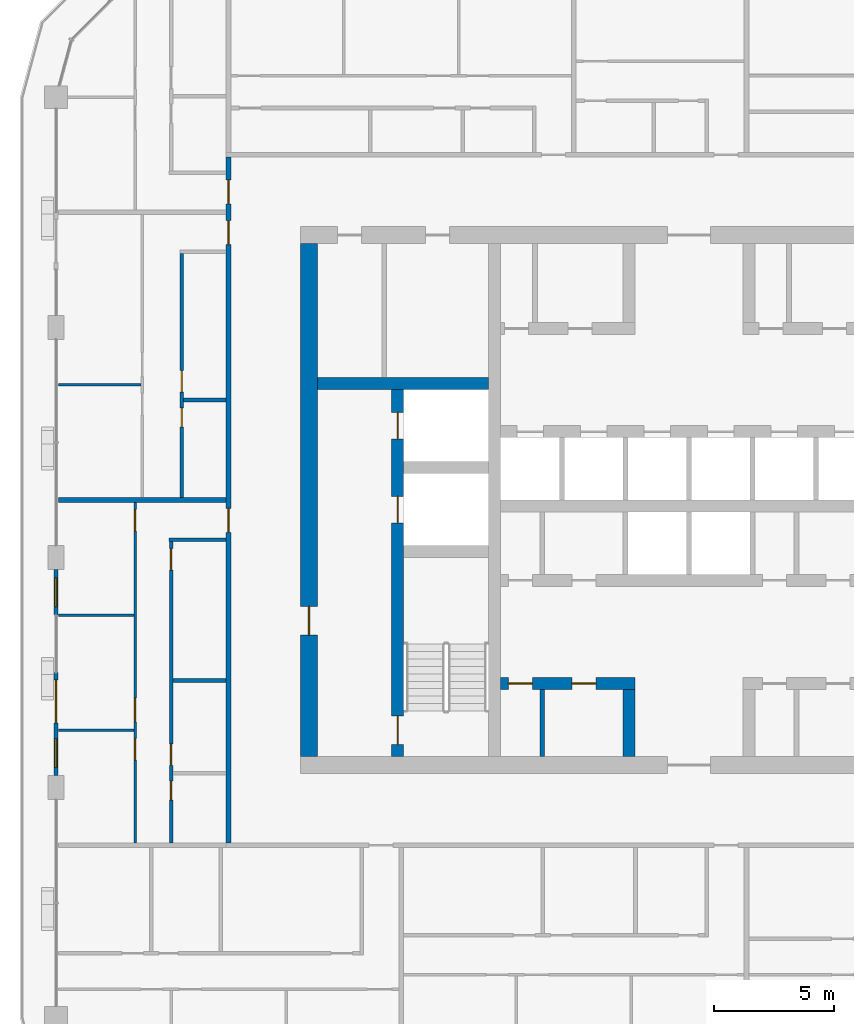
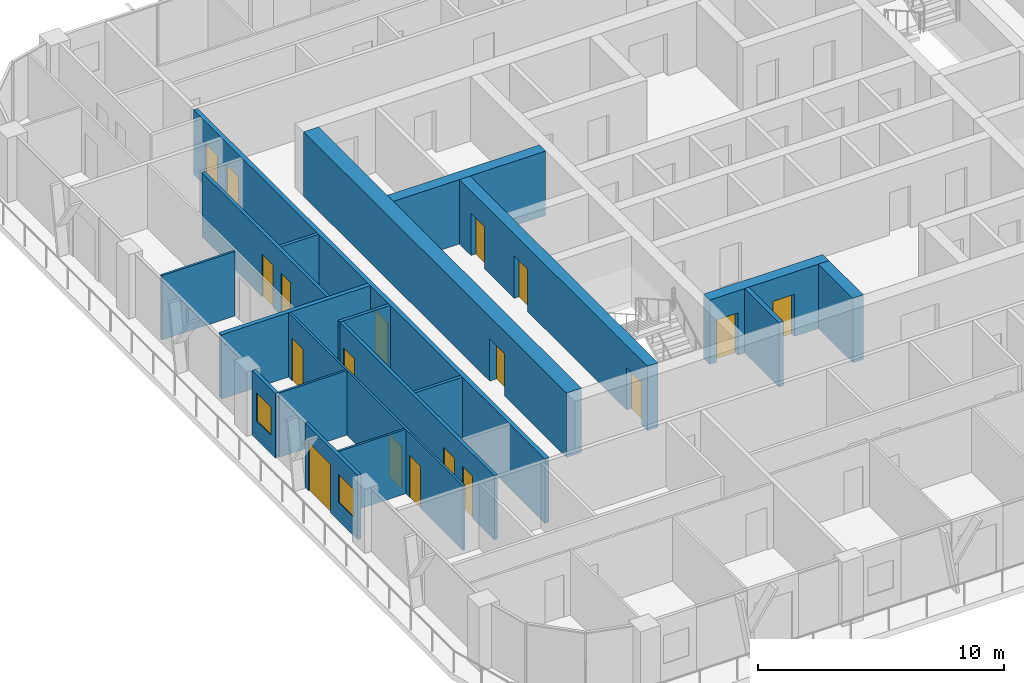
# One storey, part 10 of 22: 19 walls, 18 doors, 2 windows, 20 openings.
"""IFC4 building model written with IfcOpenShell, lengths in metres."""

from ifc_helpers import new_model, si_unit, direction, frame, frame_2d, origin, place, context, subcontext, project, spatial, rectangle, extrude, material, layer, layer_set, type_object, element, fill, save


model = new_model("IFC4")

# Units and contexts
model_context = context("Model", 3, precision=1e-05, world=origin(), true_north=direction((0.0, 1.0)))
body_context = subcontext(model_context, "Body", "Model", "MODEL_VIEW")
ifc_project = project(units=[si_unit("LENGTHUNIT", "METRE"), si_unit("AREAUNIT", "SQUARE_METRE"), si_unit("VOLUMEUNIT", "CUBIC_METRE"), si_unit("PLANEANGLEUNIT", "RADIAN"), si_unit("MASSUNIT", "GRAM", prefix="KILO")], contexts=[model_context])

# Site, building, storey
site_placement = place(None, origin())
site = spatial("IfcSite", under=ifc_project, at=site_placement, CompositionType="ELEMENT")
building_placement = place(site_placement, origin())
building = spatial("IfcBuilding", under=site, at=building_placement, Name="Madar Terraces", CompositionType="ELEMENT")
storey_placement = place(building_placement, frame((0.0, 0.0, 178.89990234375)))
storey = spatial("IfcBuildingStorey", under=building, at=storey_placement, Name="L46", CompositionType="ELEMENT", Elevation=178.89990234375)

# Wall, openings, doors
ifc_material_1 = material(Name="Concrete C60/75", Category="concrete")
ifc_layer_1 = layer(ifc_material_1, 0.5)
ifc_layer_set_1 = layer_set([ifc_layer_1], Name="Concrete C60/75 (CIW4 RC wall 500)")
wall_type_1 = type_object("IfcWallType", Name="CIW4 RC wall 500", PredefinedType="SHEAR", material=ifc_layer_set_1)
wall_1_placement = place(storey_placement, frame((19.050048828125, 15.699951171875, 0.0), z_axis=(0.0, 0.0, 1.0), x_axis=(0.0, 1.0, 0.0)))
wall_1 = element("IfcWall", 1, at=wall_1_placement, inside=storey, type_object=wall_type_1, Name="CORE SHAFT WALL", PredefinedType="SHEAR", context=body_context, shape_type="SweptSolid", body=[
    extrude(rectangle(XDim=15.300048828125, YDim=0.5, at=frame_2d((7.64990234375, 0.0))), origin(), (0.0, 0.0, 1.0), 3.2001953125),
])
opening_1_placement = place(wall_1_placement, frame((9.75, 0.0, 0.0)))
opening_1 = element("IfcOpeningElement", 2, at=opening_1_placement, cuts=wall_1, Name="Opening LD", PredefinedType="OPENING", context=body_context, shape_type="SweptSolid", body=[
    extrude(rectangle(XDim=1.10009765625, YDim=2.10009765625, at=frame_2d((0.550048828125, 1.050048828125))), frame((0.0, 0.260009765625, 0.0), z_axis=(0.0, -1.0, 0.0), x_axis=(1.0, 0.0, 0.0)), (0.0, 0.0, 1.0), 0.52001953125),
])
opening_2_placement = place(wall_1_placement, frame((13.25, 0.0, 0.0)))
opening_2 = element("IfcOpeningElement", 3, at=opening_2_placement, cuts=wall_1, Name="Opening LD", PredefinedType="OPENING", context=body_context, shape_type="SweptSolid", body=[
    extrude(rectangle(XDim=1.10009765625, YDim=2.10009765625, at=frame_2d((0.550048828125, 1.050048828125))), frame((0.0, 0.260009765625, 0.0), z_axis=(0.0, -1.0, 0.0), x_axis=(1.0, 0.0, 0.0)), (0.0, 0.0, 1.0), 0.52001953125),
])
opening_3_placement = place(wall_1_placement, frame((0.5, 0.0, 0.0)))
opening_3 = element("IfcOpeningElement", 4, at=opening_3_placement, cuts=wall_1, Name="Opening SD1", PredefinedType="OPENING", context=body_context, shape_type="SweptSolid", body=[
    extrude(rectangle(XDim=1.199951171875, YDim=2.10009765625, at=frame_2d((0.60009765625, 1.050048828125))), frame((0.0, 0.260009765625, 0.0), z_axis=(0.0, -1.0, 0.0), x_axis=(1.0, 0.0, 0.0)), (0.0, 0.0, 1.0), 0.52001953125),
])
ifc_material_2 = material(Name="Stainless steel panel", Category="steel")
door_type_1 = type_object("IfcDoorType", Name="Lift landing door 1100 x 2100", OperationType="DOUBLE_DOOR_SLIDING", PredefinedType="DOOR", material=ifc_material_2)
door_1_placement = place(opening_1_placement, origin())
door_1 = element("IfcDoor", 5, at=door_1_placement, inside=storey, type_object=door_type_1, Name="LIFT LANDING DOOR", OperationType="DOUBLE_DOOR_SLIDING", OverallHeight=2.10009765625, OverallWidth=1.10009765625, PredefinedType="DOOR", context=body_context, shape_type="SweptSolid", body=[
    extrude(rectangle(XDim=1.10009765625, YDim=2.10009765625, at=frame_2d((0.550048828125, 1.050048828125))), frame((0.0, 0.02490234375, 0.0), z_axis=(0.0, -1.0, 0.0), x_axis=(1.0, 0.0, 0.0)), (0.0, 0.0, 1.0), 0.050048828125),
])
fill(opening_1, door_1)
door_2_placement = place(opening_2_placement, origin())
door_2 = element("IfcDoor", 6, at=door_2_placement, inside=storey, type_object=door_type_1, Name="LIFT LANDING DOOR", OperationType="DOUBLE_DOOR_SLIDING", OverallHeight=2.10009765625, OverallWidth=1.10009765625, PredefinedType="DOOR", context=body_context, shape_type="SweptSolid", body=[
    extrude(rectangle(XDim=1.10009765625, YDim=2.10009765625, at=frame_2d((0.550048828125, 1.050048828125))), frame((0.0, 0.02490234375, 0.0), z_axis=(0.0, -1.0, 0.0), x_axis=(1.0, 0.0, 0.0)), (0.0, 0.0, 1.0), 0.050048828125),
])
fill(opening_2, door_2)
ifc_material_3 = material(Name="Steel door leaf", Category="steel")
door_type_2 = type_object("IfcDoorType", Name="Stair door 1200 x 2100", OperationType="NOTDEFINED", PredefinedType="DOOR", material=ifc_material_3)
door_3_placement = place(opening_3_placement, frame((1.199951171875, 0.0, 0.0), z_axis=(0.0, 0.0, 1.0), x_axis=(-1.0, 0.0, 0.0)))
door_3 = element("IfcDoor", 7, at=door_3_placement, inside=storey, type_object=door_type_2, Name="STAIR DOOR", OperationType="SINGLE_SWING_RIGHT", OverallHeight=2.10009765625, OverallWidth=1.199951171875, PredefinedType="DOOR", context=body_context, shape_type="SweptSolid", body=[
    extrude(rectangle(XDim=1.199951171875, YDim=2.10009765625, at=frame_2d((0.60009765625, 1.050048828125))), frame((0.0, 0.02490234375, 0.0), z_axis=(0.0, -1.0, 0.0), x_axis=(1.0, 0.0, 0.0)), (0.0, 0.0, 1.0), 0.050048828125),
])
fill(opening_3, door_3)

# Wall
wall_2_placement = place(storey_placement, frame((15.699951171875, 31.25, 0.0), z_axis=(0.0, 0.0, 1.0), x_axis=(1.0, 0.0, 0.0)))
element("IfcWall", 8, at=wall_2_placement, inside=storey, type_object=wall_type_1, Name="CORE SHAFT WALL", PredefinedType="SHEAR", context=body_context, shape_type="SweptSolid", body=[
    extrude(rectangle(XDim=7.150146484375, YDim=0.5, at=frame_2d((3.5751953125, 0.0))), origin(), (0.0, 0.0, 1.0), 3.2001953125),
])

# Wall, openings, doors
wall_3_placement = place(storey_placement, frame((23.35009765625, 18.75, 0.0), z_axis=(0.0, 0.0, 1.0), x_axis=(1.0, 0.0, 0.0)))
wall_3 = element("IfcWall", 9, at=wall_3_placement, inside=storey, type_object=wall_type_1, Name="CORE SHAFT WALL", PredefinedType="SHEAR", context=body_context, shape_type="SweptSolid", body=[
    extrude(rectangle(XDim=5.599853515625, YDim=0.5, at=frame_2d((2.7998046875, 0.0))), origin(), (0.0, 0.0, 1.0), 3.2001953125),
])
opening_4_placement = place(wall_3_placement, frame((0.31689453125, 0.0, 0.0)))
opening_4 = element("IfcOpeningElement", 10, at=opening_4_placement, cuts=wall_3, Name="Opening KD2", PredefinedType="OPENING", context=body_context, shape_type="SweptSolid", body=[
    extrude(rectangle(XDim=1.0, YDim=2.10009765625, at=frame_2d((0.5, 1.050048828125))), frame((0.0, 0.260009765625, 0.0), z_axis=(0.0, -1.0, 0.0), x_axis=(1.0, 0.0, 0.0)), (0.0, 0.0, 1.0), 0.52001953125),
])
opening_5_placement = place(wall_3_placement, frame((2.967041015625, 0.0, 0.0)))
opening_5 = element("IfcOpeningElement", 11, at=opening_5_placement, cuts=wall_3, Name="Opening KD2", PredefinedType="OPENING", context=body_context, shape_type="SweptSolid", body=[
    extrude(rectangle(XDim=1.0, YDim=2.10009765625, at=frame_2d((0.5, 1.050048828125))), frame((0.0, 0.260009765625, 0.0), z_axis=(0.0, -1.0, 0.0), x_axis=(1.0, 0.0, 0.0)), (0.0, 0.0, 1.0), 0.52001953125),
])
ifc_material_4 = material(Name="Steel door leaf", Category="steel")
door_type_3 = type_object("IfcDoorType", Name="Service room door 1000 x 2100", OperationType="NOTDEFINED", PredefinedType="DOOR", material=ifc_material_4)
door_4_placement = place(opening_4_placement, origin())
door_4 = element("IfcDoor", 12, at=door_4_placement, inside=storey, type_object=door_type_3, Name="SERVICE ROOM DOOR", OperationType="SINGLE_SWING_LEFT", OverallHeight=2.10009765625, OverallWidth=1.0, PredefinedType="DOOR", context=body_context, shape_type="SweptSolid", body=[
    extrude(rectangle(XDim=1.0, YDim=2.10009765625, at=frame_2d((0.5, 1.050048828125))), frame((0.0, 0.02490234375, 0.0), z_axis=(0.0, -1.0, 0.0), x_axis=(1.0, 0.0, 0.0)), (0.0, 0.0, 1.0), 0.050048828125),
])
fill(opening_4, door_4)
door_5_placement = place(opening_5_placement, origin())
door_5 = element("IfcDoor", 13, at=door_5_placement, inside=storey, type_object=door_type_3, Name="SERVICE ROOM DOOR", OperationType="SINGLE_SWING_RIGHT", OverallHeight=2.10009765625, OverallWidth=1.0, PredefinedType="DOOR", context=body_context, shape_type="SweptSolid", body=[
    extrude(rectangle(XDim=1.0, YDim=2.10009765625, at=frame_2d((0.5, 1.050048828125))), frame((0.0, 0.02490234375, 0.0), z_axis=(0.0, -1.0, 0.0), x_axis=(1.0, 0.0, 0.0)), (0.0, 0.0, 1.0), 0.050048828125),
])
fill(opening_5, door_5)

# Wall
wall_4_placement = place(storey_placement, frame((28.699951171875, 15.699951171875, 0.0), z_axis=(0.0, 0.0, 1.0), x_axis=(0.0, 1.0, 0.0)))
element("IfcWall", 14, at=wall_4_placement, inside=storey, type_object=wall_type_1, Name="CORE SHAFT WALL", PredefinedType="SHEAR", context=body_context, shape_type="SweptSolid", body=[
    extrude(rectangle(XDim=2.800048828125, YDim=0.5, at=frame_2d((1.39990234375, 0.0))), origin(), (0.0, 0.0, 1.0), 3.2001953125),
])

# Wall, opening, door
ifc_material_5 = material(Name="Concrete C60/75", Category="concrete")
ifc_layer_2 = layer(ifc_material_5, 0.699951171875)
ifc_layer_set_2 = layer_set([ifc_layer_2], Name="Concrete C60/75 (CRW4 RC wall 700)")
wall_type_2 = type_object("IfcWallType", Name="CRW4 RC wall 700", PredefinedType="SHEAR", material=ifc_layer_set_2)
wall_5_placement = place(storey_placement, frame((15.35009765625, 15.699951171875, 0.0), z_axis=(0.0, 0.0, 1.0), x_axis=(0.0, 1.0, 0.0)))
wall_5 = element("IfcWall", 15, at=wall_5_placement, inside=storey, type_object=wall_type_2, Name="CORE OUTER WALL", PredefinedType="SHEAR", context=body_context, shape_type="SweptSolid", body=[
    extrude(rectangle(XDim=21.400146484375, YDim=0.699951171875, at=frame_2d((10.7001953125, 0.0))), origin(), (0.0, 0.0, 1.0), 3.2001953125),
])
opening_6_placement = place(wall_5_placement, frame((5.06005859375, 0.0, 0.0)))
opening_6 = element("IfcOpeningElement", 16, at=opening_6_placement, cuts=wall_5, Name="Opening SD1", PredefinedType="OPENING", context=body_context, shape_type="SweptSolid", body=[
    extrude(rectangle(XDim=1.199951171875, YDim=2.10009765625, at=frame_2d((0.60009765625, 1.050048828125))), frame((0.0, 0.35986328125, 0.0), z_axis=(0.0, -1.0, 0.0), x_axis=(1.0, 0.0, 0.0)), (0.0, 0.0, 1.0), 0.719970703125),
])
door_6_placement = place(opening_6_placement, frame((1.199951171875, 0.0, 0.0), z_axis=(0.0, 0.0, 1.0), x_axis=(-1.0, 0.0, 0.0)))
door_6 = element("IfcDoor", 17, at=door_6_placement, inside=storey, type_object=door_type_2, Name="STAIR DOOR", OperationType="SINGLE_SWING_LEFT", OverallHeight=2.10009765625, OverallWidth=1.199951171875, PredefinedType="DOOR", context=body_context, shape_type="SweptSolid", body=[
    extrude(rectangle(XDim=1.199951171875, YDim=2.10009765625, at=frame_2d((0.60009765625, 1.050048828125))), frame((0.0, 0.02490234375, 0.0), z_axis=(0.0, -1.0, 0.0), x_axis=(1.0, 0.0, 0.0)), (0.0, 0.0, 1.0), 0.050048828125),
])
fill(opening_6, door_6)

# Wall
ifc_material_6 = material(Name="Masonry blockwork", Category="masonry")
ifc_layer_3 = layer(ifc_material_6, 0.199951171875)
ifc_layer_set_3 = layer_set([ifc_layer_3], Name="Core partition 200 blockwork")
wall_type_3 = type_object("IfcWallType", Name="Core partition 200 blockwork", PredefinedType="PARTITIONING", material=ifc_layer_set_3)
wall_6_placement = place(storey_placement, frame((25.083984375, 15.699951171875, 0.0), z_axis=(0.0, 0.0, 1.0), x_axis=(0.0, 1.0, 0.0)))
element("IfcWall", 18, at=wall_6_placement, inside=storey, type_object=wall_type_3, Name="SERVICE ROOM PARTITION", PredefinedType="PARTITIONING", context=body_context, shape_type="SweptSolid", body=[
    extrude(rectangle(XDim=2.800048828125, YDim=0.199951171875, at=frame_2d((1.39990234375, 0.0))), origin(), (0.0, 0.0, 1.0), 3.2001953125),
])

# Wall, opening, window
ifc_material_7 = material(Name="Aluminium composite panel, black, over insulated backing", Category="aluminium")
ifc_layer_4 = layer(ifc_material_7, 0.14990234375)
ifc_layer_set_4 = layer_set([ifc_layer_4], Name="Facade bay panel 150")
wall_type_4 = type_object("IfcWallType", Name="Facade bay panel 150", PredefinedType="SOLIDWALL", material=ifc_layer_set_4)
wall_7_placement = place(storey_placement, frame((4.800048828125, 23.5, 0.0), z_axis=(0.0, 0.0, 1.0), x_axis=(0.0, -1.0, 0.0)))
wall_7 = element("IfcWall", 19, at=wall_7_placement, inside=storey, type_object=wall_type_4, Name="Facade bay panel", PredefinedType="SOLIDWALL", context=body_context, shape_type="SweptSolid", body=[
    extrude(rectangle(XDim=1.89990234375, YDim=0.14990234375, at=frame_2d((0.949951171875, 0.0))), origin(), (0.0, 0.0, 1.0), 3.2001953125),
])
opening_7_placement = place(wall_7_placement, frame((0.35009765625, 0.0, 0.89990234375)))
opening_7 = element("IfcOpeningElement", 20, at=opening_7_placement, cuts=wall_7, Name="Opening W1", PredefinedType="OPENING", context=body_context, shape_type="SweptSolid", body=[
    extrude(rectangle(XDim=1.199951171875, YDim=1.39990234375, at=frame_2d((0.60009765625, 0.699951171875))), frame((0.0, 0.0849609375, 0.0), z_axis=(0.0, -1.0, 0.0), x_axis=(1.0, 0.0, 0.0)), (0.0, 0.0, 1.0), 0.169921875),
])
ifc_material_8 = material(Name="Glass, clear, with black aluminium frame", Category="aluminium")
window_type = type_object("IfcWindowType", Name="Vent window 1200 x 1400", PartitioningType="SINGLE_PANEL", PredefinedType="WINDOW", material=ifc_material_8)
window_1_placement = place(opening_7_placement, origin())
window_1 = element("IfcWindow", 21, at=window_1_placement, inside=storey, type_object=window_type, Name="Operable vent window", OverallHeight=1.39990234375, OverallWidth=1.199951171875, PartitioningType="SINGLE_PANEL", PredefinedType="WINDOW", context=body_context, shape_type="SweptSolid", body=[
    extrude(rectangle(XDim=1.199951171875, YDim=1.39990234375, at=frame_2d((0.60009765625, 0.699951171875))), frame((0.0, 0.030029296875, 0.0), z_axis=(0.0, -1.0, 0.0), x_axis=(1.0, 0.0, 0.0)), (0.0, 0.0, 1.0), 0.06005859375),
])
fill(opening_7, window_1)

# Wall, openings, door, window
wall_8_placement = place(storey_placement, frame((4.800048828125, 19.199951171875, 0.0), z_axis=(0.0, 0.0, 1.0), x_axis=(0.0, -1.0, 0.0)))
wall_8 = element("IfcWall", 22, at=wall_8_placement, inside=storey, type_object=wall_type_4, Name="Facade bay panel", PredefinedType="SOLIDWALL", context=body_context, shape_type="SweptSolid", body=[
    extrude(rectangle(XDim=4.300048828125, YDim=0.14990234375, at=frame_2d((2.14990234375, 0.0))), origin(), (0.0, 0.0, 1.0), 3.2001953125),
])
opening_8_placement = place(wall_8_placement, frame((0.300048828125, 0.0, 0.0)))
opening_8 = element("IfcOpeningElement", 23, at=opening_8_placement, cuts=wall_8, Name="Opening ED1", PredefinedType="OPENING", context=body_context, shape_type="SweptSolid", body=[
    extrude(rectangle(XDim=1.800048828125, YDim=2.39990234375, at=frame_2d((0.89990234375, 1.199951171875))), frame((0.0, 0.0849609375, 0.0), z_axis=(0.0, -1.0, 0.0), x_axis=(1.0, 0.0, 0.0)), (0.0, 0.0, 1.0), 0.169921875),
])
opening_9_placement = place(wall_8_placement, frame((2.75, 0.0, 0.89990234375)))
opening_9 = element("IfcOpeningElement", 24, at=opening_9_placement, cuts=wall_8, Name="Opening W1", PredefinedType="OPENING", context=body_context, shape_type="SweptSolid", body=[
    extrude(rectangle(XDim=1.199951171875, YDim=1.39990234375, at=frame_2d((0.60009765625, 0.699951171875))), frame((0.0, 0.0849609375, 0.0), z_axis=(0.0, -1.0, 0.0), x_axis=(1.0, 0.0, 0.0)), (0.0, 0.0, 1.0), 0.169921875),
])
ifc_material_9 = material(Name="Glass, clear, with black aluminium frame", Category="aluminium")
door_type_4 = type_object("IfcDoorType", Name="Balcony and terrace sliding door 1800 x 2400", OperationType="SLIDING_TO_LEFT", PredefinedType="DOOR", material=ifc_material_9)
door_7_placement = place(opening_8_placement, origin())
door_7 = element("IfcDoor", 25, at=door_7_placement, inside=storey, type_object=door_type_4, Name="Balcony door", OperationType="SLIDING_TO_LEFT", OverallHeight=2.39990234375, OverallWidth=1.800048828125, PredefinedType="DOOR", context=body_context, shape_type="SweptSolid", body=[
    extrude(rectangle(XDim=1.800048828125, YDim=2.39990234375, at=frame_2d((0.89990234375, 1.199951171875))), frame((0.0, 0.02490234375, 0.0), z_axis=(0.0, -1.0, 0.0), x_axis=(1.0, 0.0, 0.0)), (0.0, 0.0, 1.0), 0.050048828125),
])
fill(opening_8, door_7)
window_2_placement = place(opening_9_placement, origin())
window_2 = element("IfcWindow", 26, at=window_2_placement, inside=storey, type_object=window_type, Name="Operable vent window", OverallHeight=1.39990234375, OverallWidth=1.199951171875, PartitioningType="SINGLE_PANEL", PredefinedType="WINDOW", context=body_context, shape_type="SweptSolid", body=[
    extrude(rectangle(XDim=1.199951171875, YDim=1.39990234375, at=frame_2d((0.60009765625, 0.699951171875))), frame((0.0, 0.030029296875, 0.0), z_axis=(0.0, -1.0, 0.0), x_axis=(1.0, 0.0, 0.0)), (0.0, 0.0, 1.0), 0.06005859375),
])
fill(opening_9, window_2)

# Walls
ifc_material_10 = material(Name="Gypsum board on steel studs", Category="steel")
ifc_layer_5 = layer(ifc_material_10, 0.10009765625)
ifc_layer_set_5 = layer_set([ifc_layer_5], Name="Flat partition 100")
wall_type_5 = type_object("IfcWallType", Name="Flat partition 100", PredefinedType="PARTITIONING", material=ifc_layer_set_5)
wall_9_placement = place(storey_placement, frame((8.35009765625, 31.199951171875, 0.0), z_axis=(0.0, 0.0, 1.0), x_axis=(-1.0, 0.0, 0.0)))
element("IfcWall", 27, at=wall_9_placement, inside=storey, type_object=wall_type_5, Name="Flat partition 100", PredefinedType="PARTITIONING", context=body_context, shape_type="SweptSolid", body=[
    extrude(rectangle(XDim=3.4501953125, YDim=0.10009765625, at=frame_2d((1.72509765625, 0.0))), origin(), (0.0, 0.0, 1.0), 3.2001953125),
])
for number, where, z_axis, x_axis, name in (
    (28, (8.050048828125, 21.60009765625, 0.0), (0.0, 0.0, 1.0), (-1.0, 0.0, 0.0), "Flat partition 100"),
    (29, (8.050048828125, 16.800048828125, 0.0), (0.0, 0.0, 1.0), (-1.0, 0.0, 0.0), "Flat partition 100"),
):
    element("IfcWall", number, at=place(storey_placement, frame(where, z_axis=z_axis, x_axis=x_axis)), inside=storey, type_object=wall_type_5, Name=name, PredefinedType="PARTITIONING", context=body_context, shape_type="SweptSolid", body=[
        extrude(rectangle(XDim=3.150146484375, YDim=0.10009765625, at=frame_2d((1.5751953125, 0.0))), origin(), (0.0, 0.0, 1.0), 3.2001953125),
    ])

# Wall, openings, doors
wall_10_placement = place(storey_placement, frame((8.10009765625, 12.10009765625, 0.0), z_axis=(0.0, 0.0, 1.0), x_axis=(0.0, 1.0, 0.0)))
wall_10 = element("IfcWall", 30, at=wall_10_placement, inside=storey, type_object=wall_type_5, Name="Flat partition 100", PredefinedType="PARTITIONING", context=body_context, shape_type="SweptSolid", body=[
    extrude(rectangle(XDim=14.199951171875, YDim=0.10009765625, at=frame_2d((7.10009765625, 0.0))), origin(), (0.0, 0.0, 1.0), 3.2001953125),
])
opening_10_placement = place(wall_10_placement, frame((13.0, 0.0, 0.0)))
opening_10 = element("IfcOpeningElement", 31, at=opening_10_placement, cuts=wall_10, Name="Opening D2", PredefinedType="OPENING", context=body_context, shape_type="SweptSolid", body=[
    extrude(rectangle(XDim=0.89990234375, YDim=2.10009765625, at=frame_2d((0.449951171875, 1.050048828125))), frame((0.0, 0.06005859375, 0.0), z_axis=(0.0, -1.0, 0.0), x_axis=(1.0, 0.0, 0.0)), (0.0, 0.0, 1.0), 0.1201171875),
])
opening_11_placement = place(wall_10_placement, frame((5.050048828125, 0.0, 0.0)))
opening_11 = element("IfcOpeningElement", 32, at=opening_11_placement, cuts=wall_10, Name="Opening D3", PredefinedType="OPENING", context=body_context, shape_type="SweptSolid", body=[
    extrude(rectangle(XDim=1.0, YDim=2.10009765625, at=frame_2d((0.5, 1.050048828125))), frame((0.0, 0.06005859375, 0.0), z_axis=(0.0, -1.0, 0.0), x_axis=(1.0, 0.0, 0.0)), (0.0, 0.0, 1.0), 0.1201171875),
])
opening_12_placement = place(wall_10_placement, frame((3.449951171875, 0.0, 0.0)))
opening_12 = element("IfcOpeningElement", 33, at=opening_12_placement, cuts=wall_10, Name="Opening D2", PredefinedType="OPENING", context=body_context, shape_type="SweptSolid", body=[
    extrude(rectangle(XDim=0.89990234375, YDim=2.10009765625, at=frame_2d((0.449951171875, 1.050048828125))), frame((0.0, 0.06005859375, 0.0), z_axis=(0.0, -1.0, 0.0), x_axis=(1.0, 0.0, 0.0)), (0.0, 0.0, 1.0), 0.1201171875),
])
ifc_material_11 = material(Name="Timber door leaf", Category="wood")
door_type_5 = type_object("IfcDoorType", Name="Flat living room door 1000", OperationType="NOTDEFINED", PredefinedType="DOOR", material=ifc_material_11)
door_8_placement = place(opening_11_placement, origin())
door_8 = element("IfcDoor", 34, at=door_8_placement, inside=storey, type_object=door_type_5, Name="Flat living room door 1000", OperationType="SINGLE_SWING_LEFT", OverallHeight=2.10009765625, OverallWidth=1.0, PredefinedType="DOOR", context=body_context, shape_type="SweptSolid", body=[
    extrude(rectangle(XDim=1.0, YDim=2.10009765625, at=frame_2d((0.5, 1.050048828125))), frame((0.0, 0.02490234375, 0.0), z_axis=(0.0, -1.0, 0.0), x_axis=(1.0, 0.0, 0.0)), (0.0, 0.0, 1.0), 0.050048828125),
])
fill(opening_11, door_8)
ifc_material_12 = material(Name="Timber door leaf", Category="wood")
door_type_6 = type_object("IfcDoorType", Name="Flat room door 900", OperationType="NOTDEFINED", PredefinedType="DOOR", material=ifc_material_12)
door_9_placement = place(opening_10_placement, origin())
door_9 = element("IfcDoor", 35, at=door_9_placement, inside=storey, type_object=door_type_6, Name="Flat room door 900", OperationType="SINGLE_SWING_RIGHT", OverallHeight=2.10009765625, OverallWidth=0.89990234375, PredefinedType="DOOR", context=body_context, shape_type="SweptSolid", body=[
    extrude(rectangle(XDim=0.89990234375, YDim=2.10009765625, at=frame_2d((0.449951171875, 1.050048828125))), frame((0.0, 0.02490234375, 0.0), z_axis=(0.0, -1.0, 0.0), x_axis=(1.0, 0.0, 0.0)), (0.0, 0.0, 1.0), 0.050048828125),
])
fill(opening_10, door_9)
door_10_placement = place(opening_12_placement, origin())
door_10 = element("IfcDoor", 36, at=door_10_placement, inside=storey, type_object=door_type_6, Name="Flat room door 900", OperationType="SINGLE_SWING_RIGHT", OverallHeight=2.10009765625, OverallWidth=0.89990234375, PredefinedType="DOOR", context=body_context, shape_type="SweptSolid", body=[
    extrude(rectangle(XDim=0.89990234375, YDim=2.10009765625, at=frame_2d((0.449951171875, 1.050048828125))), frame((0.0, 0.02490234375, 0.0), z_axis=(0.0, -1.0, 0.0), x_axis=(1.0, 0.0, 0.0)), (0.0, 0.0, 1.0), 0.050048828125),
])
fill(opening_12, door_10)

ifc_material_13 = material(Name="Lightweight blockwork", Category="masonry")
ifc_layer_6 = layer(ifc_material_13, 0.199951171875)
ifc_layer_set_6 = layer_set([ifc_layer_6], Name="Flat party and entrance wall 200")
wall_type_6 = type_object("IfcWallType", Name="Flat party and entrance wall 200", PredefinedType="PARTITIONING", material=ifc_layer_set_6)
wall_11_placement = place(storey_placement, frame((12.0, 12.10009765625, 0.0), z_axis=(0.0, 0.0, 1.0), x_axis=(0.0, 1.0, 0.0)))
wall_11 = element("IfcWall", 37, at=wall_11_placement, inside=storey, type_object=wall_type_6, Name="Flat party and entrance wall 200", PredefinedType="PARTITIONING", context=body_context, shape_type="SweptSolid", body=[
    extrude(rectangle(XDim=28.599853515625, YDim=0.199951171875, at=frame_2d((14.2998046875, 0.0))), origin(), (0.0, 0.0, 1.0), 3.2001953125),
])
opening_13_placement = place(wall_11_placement, frame((26.64990234375, 0.0, 0.0)))
opening_13 = element("IfcOpeningElement", 38, at=opening_13_placement, cuts=wall_11, Name="Opening D1", PredefinedType="OPENING", context=body_context, shape_type="SweptSolid", body=[
    extrude(rectangle(XDim=1.0, YDim=2.10009765625, at=frame_2d((0.5, 1.050048828125))), frame((0.0, 0.10986328125, 0.0), z_axis=(0.0, -1.0, 0.0), x_axis=(1.0, 0.0, 0.0)), (0.0, 0.0, 1.0), 0.219970703125),
])
opening_14_placement = place(wall_11_placement, frame((24.949951171875, 0.0, 0.0)))
opening_14 = element("IfcOpeningElement", 39, at=opening_14_placement, cuts=wall_11, Name="Opening D1", PredefinedType="OPENING", context=body_context, shape_type="SweptSolid", body=[
    extrude(rectangle(XDim=1.0, YDim=2.10009765625, at=frame_2d((0.5, 1.050048828125))), frame((0.0, 0.10986328125, 0.0), z_axis=(0.0, -1.0, 0.0), x_axis=(1.0, 0.0, 0.0)), (0.0, 0.0, 1.0), 0.219970703125),
])
opening_15_placement = place(wall_11_placement, frame((12.949951171875, 0.0, 0.0)))
opening_15 = element("IfcOpeningElement", 40, at=opening_15_placement, cuts=wall_11, Name="Opening D1", PredefinedType="OPENING", context=body_context, shape_type="SweptSolid", body=[
    extrude(rectangle(XDim=1.0, YDim=2.10009765625, at=frame_2d((0.5, 1.050048828125))), frame((0.0, 0.10986328125, 0.0), z_axis=(0.0, -1.0, 0.0), x_axis=(1.0, 0.0, 0.0)), (0.0, 0.0, 1.0), 0.219970703125),
])
ifc_material_14 = material(Name="Timber fire door leaf", Category="wood")
door_type_7 = type_object("IfcDoorType", Name="Flat entrance door 1000 FD30S", OperationType="NOTDEFINED", PredefinedType="DOOR", material=ifc_material_14)
door_11_placement = place(opening_13_placement, origin())
door_11 = element("IfcDoor", 41, at=door_11_placement, inside=storey, type_object=door_type_7, Name="Flat entrance door 1000 FD30S", OperationType="SINGLE_SWING_LEFT", OverallHeight=2.10009765625, OverallWidth=1.0, PredefinedType="DOOR", context=body_context, shape_type="SweptSolid", body=[
    extrude(rectangle(XDim=1.0, YDim=2.10009765625, at=frame_2d((0.5, 1.050048828125))), frame((0.0, 0.02490234375, 0.0), z_axis=(0.0, -1.0, 0.0), x_axis=(1.0, 0.0, 0.0)), (0.0, 0.0, 1.0), 0.050048828125),
])
fill(opening_13, door_11)
door_12_placement = place(opening_14_placement, origin())
door_12 = element("IfcDoor", 42, at=door_12_placement, inside=storey, type_object=door_type_7, Name="Flat entrance door 1000 FD30S", OperationType="SINGLE_SWING_RIGHT", OverallHeight=2.10009765625, OverallWidth=1.0, PredefinedType="DOOR", context=body_context, shape_type="SweptSolid", body=[
    extrude(rectangle(XDim=1.0, YDim=2.10009765625, at=frame_2d((0.5, 1.050048828125))), frame((0.0, 0.02490234375, 0.0), z_axis=(0.0, -1.0, 0.0), x_axis=(1.0, 0.0, 0.0)), (0.0, 0.0, 1.0), 0.050048828125),
])
fill(opening_14, door_12)
door_13_placement = place(opening_15_placement, origin())
door_13 = element("IfcDoor", 43, at=door_13_placement, inside=storey, type_object=door_type_7, Name="Flat entrance door 1000 FD30S", OperationType="SINGLE_SWING_RIGHT", OverallHeight=2.10009765625, OverallWidth=1.0, PredefinedType="DOOR", context=body_context, shape_type="SweptSolid", body=[
    extrude(rectangle(XDim=1.0, YDim=2.10009765625, at=frame_2d((0.5, 1.050048828125))), frame((0.0, 0.02490234375, 0.0), z_axis=(0.0, -1.0, 0.0), x_axis=(1.0, 0.0, 0.0)), (0.0, 0.0, 1.0), 0.050048828125),
])
fill(opening_15, door_13)

# Walls
wall_12_placement = place(storey_placement, frame((4.89990234375, 26.39990234375, 0.0), z_axis=(0.0, 0.0, 1.0), x_axis=(1.0, 0.0, 0.0)))
element("IfcWall", 44, at=wall_12_placement, inside=storey, type_object=wall_type_6, Name="Flat party and entrance wall 200", PredefinedType="PARTITIONING", context=body_context, shape_type="SweptSolid", body=[
    extrude(rectangle(XDim=7.0, YDim=0.199951171875, at=frame_2d((3.5, 0.0))), origin(), (0.0, 0.0, 1.0), 3.2001953125),
])
ifc_material_15 = material(Name="Lightweight blockwork", Category="masonry")
ifc_layer_7 = layer(ifc_material_15, 0.14990234375)
ifc_layer_set_7 = layer_set([ifc_layer_7], Name="Flat wet-room partition 150")
wall_type_7 = type_object("IfcWallType", Name="Flat wet-room partition 150", PredefinedType="PARTITIONING", material=ifc_layer_set_7)
wall_13_placement = place(storey_placement, frame((11.89990234375, 30.570068359375, 0.0), z_axis=(0.0, 0.0, 1.0), x_axis=(-1.0, 0.0, 0.0)))
element("IfcWall", 45, at=wall_13_placement, inside=storey, type_object=wall_type_7, Name="Flat wet-room partition 150", PredefinedType="PARTITIONING", context=body_context, shape_type="SweptSolid", body=[
    extrude(rectangle(XDim=1.77490234375, YDim=0.14990234375, at=frame_2d((0.887451171875, 0.0))), origin(), (0.0, 0.0, 1.0), 3.2001953125),
])

# Wall, openings, doors
wall_14_placement = place(storey_placement, frame((10.050048828125, 36.675048828125, 0.0), z_axis=(0.0, 0.0, 1.0), x_axis=(0.0, -1.0, 0.0)))
wall_14 = element("IfcWall", 46, at=wall_14_placement, inside=storey, type_object=wall_type_7, Name="Flat wet-room partition 150", PredefinedType="PARTITIONING", context=body_context, shape_type="SweptSolid", body=[
    extrude(rectangle(XDim=10.175048828125, YDim=0.14990234375, at=frame_2d((5.08740234375, 0.0))), origin(), (0.0, 0.0, 1.0), 3.2001953125),
])
opening_16_placement = place(wall_14_placement, frame((4.8798828125, 0.0, 0.0)))
opening_16 = element("IfcOpeningElement", 47, at=opening_16_placement, cuts=wall_14, Name="Opening D2", PredefinedType="OPENING", context=body_context, shape_type="SweptSolid", body=[
    extrude(rectangle(XDim=0.89990234375, YDim=2.10009765625, at=frame_2d((0.449951171875, 1.050048828125))), frame((0.0, 0.0849609375, 0.0), z_axis=(0.0, -1.0, 0.0), x_axis=(1.0, 0.0, 0.0)), (0.0, 0.0, 1.0), 0.169921875),
])
opening_17_placement = place(wall_14_placement, frame((6.429931640625, 0.0, 0.0)))
opening_17 = element("IfcOpeningElement", 48, at=opening_17_placement, cuts=wall_14, Name="Opening D4", PredefinedType="OPENING", context=body_context, shape_type="SweptSolid", body=[
    extrude(rectangle(XDim=0.800048828125, YDim=2.10009765625, at=frame_2d((0.39990234375, 1.050048828125))), frame((0.0, 0.0849609375, 0.0), z_axis=(0.0, -1.0, 0.0), x_axis=(1.0, 0.0, 0.0)), (0.0, 0.0, 1.0), 0.169921875),
])
ifc_material_16 = material(Name="Timber door leaf", Category="wood")
door_type_8 = type_object("IfcDoorType", Name="Flat bathroom door 800", OperationType="NOTDEFINED", PredefinedType="DOOR", material=ifc_material_16)
door_14_placement = place(opening_17_placement, origin())
door_14 = element("IfcDoor", 49, at=door_14_placement, inside=storey, type_object=door_type_8, Name="Flat bathroom door 800", OperationType="SINGLE_SWING_LEFT", OverallHeight=2.10009765625, OverallWidth=0.800048828125, PredefinedType="DOOR", context=body_context, shape_type="SweptSolid", body=[
    extrude(rectangle(XDim=0.800048828125, YDim=2.10009765625, at=frame_2d((0.39990234375, 1.050048828125))), frame((0.0, 0.02490234375, 0.0), z_axis=(0.0, -1.0, 0.0), x_axis=(1.0, 0.0, 0.0)), (0.0, 0.0, 1.0), 0.050048828125),
])
fill(opening_17, door_14)
door_15_placement = place(opening_16_placement, origin())
door_15 = element("IfcDoor", 50, at=door_15_placement, inside=storey, type_object=door_type_6, Name="Flat room door 900", OperationType="SINGLE_SWING_RIGHT", OverallHeight=2.10009765625, OverallWidth=0.89990234375, PredefinedType="DOOR", context=body_context, shape_type="SweptSolid", body=[
    extrude(rectangle(XDim=0.89990234375, YDim=2.10009765625, at=frame_2d((0.449951171875, 1.050048828125))), frame((0.0, 0.02490234375, 0.0), z_axis=(0.0, -1.0, 0.0), x_axis=(1.0, 0.0, 0.0)), (0.0, 0.0, 1.0), 0.050048828125),
])
fill(opening_16, door_15)

# Walls
wall_15_placement = place(storey_placement, frame((11.89990234375, 18.87109375, 0.0), z_axis=(0.0, 0.0, 1.0), x_axis=(-1.0, 0.0, 0.0)))
element("IfcWall", 51, at=wall_15_placement, inside=storey, type_object=wall_type_7, Name="Flat wet-room partition 150", PredefinedType="PARTITIONING", context=body_context, shape_type="SweptSolid", body=[
    extrude(rectangle(XDim=2.224853515625, YDim=0.14990234375, at=frame_2d((1.1123046875, 0.0))), origin(), (0.0, 0.0, 1.0), 3.2001953125),
])
wall_16_placement = place(storey_placement, frame((11.89990234375, 24.75, 0.0), z_axis=(0.0, 0.0, 1.0), x_axis=(-1.0, 0.0, 0.0)))
element("IfcWall", 52, at=wall_16_placement, inside=storey, type_object=wall_type_7, Name="Flat wet-room partition 150", PredefinedType="PARTITIONING", context=body_context, shape_type="SweptSolid", body=[
    extrude(rectangle(XDim=2.375, YDim=0.14990234375, at=frame_2d((1.1875, 0.0))), origin(), (0.0, 0.0, 1.0), 3.2001953125),
])

# Wall, openings, doors
wall_17_placement = place(storey_placement, frame((9.60009765625, 24.675048828125, 0.0), z_axis=(0.0, 0.0, 1.0), x_axis=(0.0, -1.0, 0.0)))
wall_17 = element("IfcWall", 53, at=wall_17_placement, inside=storey, type_object=wall_type_7, Name="Flat wet-room partition 150", PredefinedType="PARTITIONING", context=body_context, shape_type="SweptSolid", body=[
    extrude(rectangle(XDim=12.574951171875, YDim=0.14990234375, at=frame_2d((6.28759765625, 0.0))), origin(), (0.0, 0.0, 1.0), 3.2001953125),
])
opening_18_placement = place(wall_17_placement, frame((0.300048828125, 0.0, 0.0)))
opening_18 = element("IfcOpeningElement", 54, at=opening_18_placement, cuts=wall_17, Name="Opening D2", PredefinedType="OPENING", context=body_context, shape_type="SweptSolid", body=[
    extrude(rectangle(XDim=0.89990234375, YDim=2.10009765625, at=frame_2d((0.449951171875, 1.050048828125))), frame((0.0, 0.0849609375, 0.0), z_axis=(0.0, -1.0, 0.0), x_axis=(1.0, 0.0, 0.0)), (0.0, 0.0, 1.0), 0.169921875),
])
opening_19_placement = place(wall_17_placement, frame((8.447998046875, 0.0, 0.0)))
opening_19 = element("IfcOpeningElement", 55, at=opening_19_placement, cuts=wall_17, Name="Opening D5", PredefinedType="OPENING", context=body_context, shape_type="SweptSolid", body=[
    extrude(rectangle(XDim=0.89990234375, YDim=2.10009765625, at=frame_2d((0.449951171875, 1.050048828125))), frame((0.0, 0.0849609375, 0.0), z_axis=(0.0, -1.0, 0.0), x_axis=(1.0, 0.0, 0.0)), (0.0, 0.0, 1.0), 0.169921875),
])
opening_20_placement = place(wall_17_placement, frame((9.998046875, 0.0, 0.0)))
opening_20 = element("IfcOpeningElement", 56, at=opening_20_placement, cuts=wall_17, Name="Opening D4", PredefinedType="OPENING", context=body_context, shape_type="SweptSolid", body=[
    extrude(rectangle(XDim=0.800048828125, YDim=2.10009765625, at=frame_2d((0.39990234375, 1.050048828125))), frame((0.0, 0.0849609375, 0.0), z_axis=(0.0, -1.0, 0.0), x_axis=(1.0, 0.0, 0.0)), (0.0, 0.0, 1.0), 0.169921875),
])
ifc_material_17 = material(Name="Timber door leaf", Category="wood")
door_type_9 = type_object("IfcDoorType", Name="Flat accessible bathroom door 900", OperationType="NOTDEFINED", PredefinedType="DOOR", material=ifc_material_17)
door_16_placement = place(opening_19_placement, origin())
door_16 = element("IfcDoor", 57, at=door_16_placement, inside=storey, type_object=door_type_9, Name="Flat accessible bathroom door 900", OperationType="SINGLE_SWING_RIGHT", OverallHeight=2.10009765625, OverallWidth=0.89990234375, PredefinedType="DOOR", context=body_context, shape_type="SweptSolid", body=[
    extrude(rectangle(XDim=0.89990234375, YDim=2.10009765625, at=frame_2d((0.449951171875, 1.050048828125))), frame((0.0, 0.02490234375, 0.0), z_axis=(0.0, -1.0, 0.0), x_axis=(1.0, 0.0, 0.0)), (0.0, 0.0, 1.0), 0.050048828125),
])
fill(opening_19, door_16)
door_17_placement = place(opening_20_placement, origin())
door_17 = element("IfcDoor", 58, at=door_17_placement, inside=storey, type_object=door_type_8, Name="Flat bathroom door 800", OperationType="SINGLE_SWING_LEFT", OverallHeight=2.10009765625, OverallWidth=0.800048828125, PredefinedType="DOOR", context=body_context, shape_type="SweptSolid", body=[
    extrude(rectangle(XDim=0.800048828125, YDim=2.10009765625, at=frame_2d((0.39990234375, 1.050048828125))), frame((0.0, 0.02490234375, 0.0), z_axis=(0.0, -1.0, 0.0), x_axis=(1.0, 0.0, 0.0)), (0.0, 0.0, 1.0), 0.050048828125),
])
fill(opening_20, door_17)
door_18_placement = place(opening_18_placement, origin())
door_18 = element("IfcDoor", 59, at=door_18_placement, inside=storey, type_object=door_type_6, Name="Flat room door 900", OperationType="SINGLE_SWING_LEFT", OverallHeight=2.10009765625, OverallWidth=0.89990234375, PredefinedType="DOOR", context=body_context, shape_type="SweptSolid", body=[
    extrude(rectangle(XDim=0.89990234375, YDim=2.10009765625, at=frame_2d((0.449951171875, 1.050048828125))), frame((0.0, 0.02490234375, 0.0), z_axis=(0.0, -1.0, 0.0), x_axis=(1.0, 0.0, 0.0)), (0.0, 0.0, 1.0), 0.050048828125),
])
fill(opening_18, door_18)

save(model, "model.ifc")
